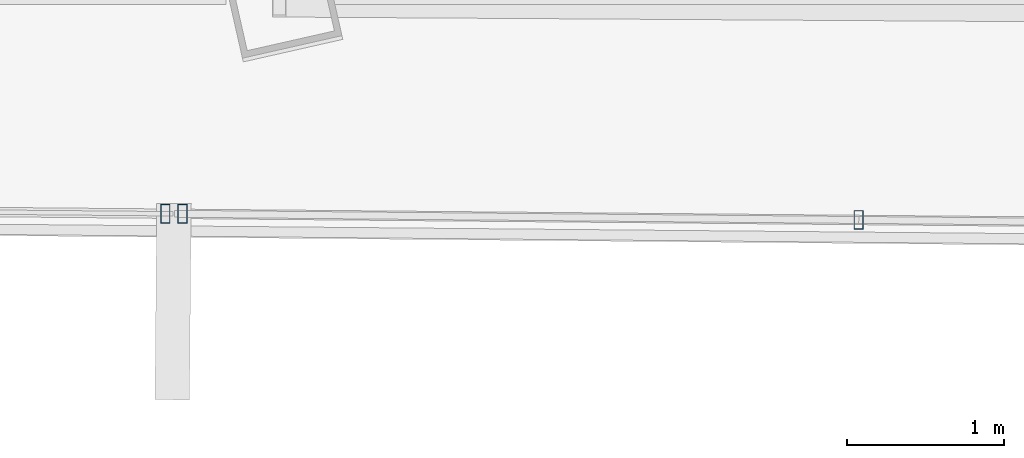
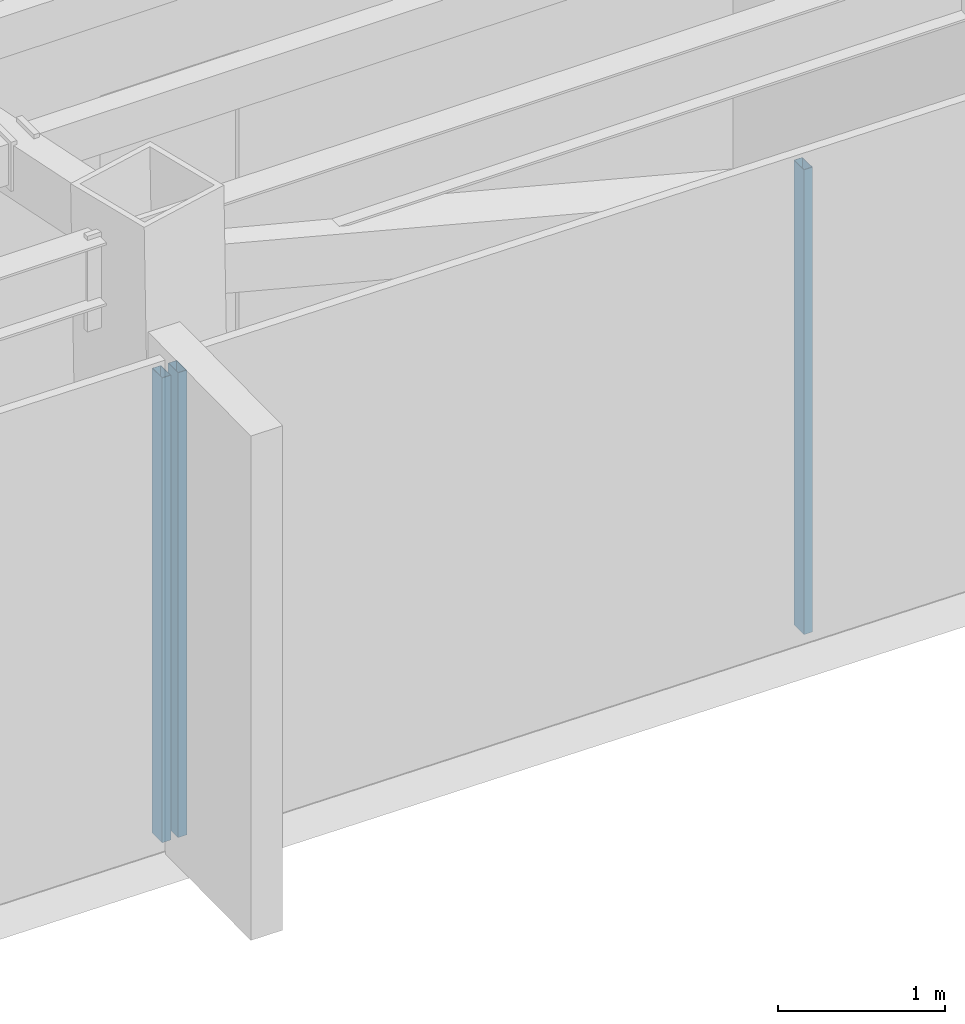
# One storey, part 11 of 47: 3 members, 2 elements without a shape of their own.
"""IFC4 building model written with IfcOpenShell, lengths in metres."""

from ifc_helpers import new_model, si_unit, direction, frame, origin, origin_2d, place, context, subcontext, project, spatial, hollow_rectangle, extrude, source, transform, mapped, material, material_profile, profile_set, type_object, type_shapes, element, aggregate, save


model = new_model("IFC4")

# Units and contexts
model_context = context("Model", 3, precision=1e-05, world=origin(), true_north=direction((0.0, 1.0)))
body_context = subcontext(model_context, "Body", "Model", "MODEL_VIEW")
ifc_project = project(units=[si_unit("LENGTHUNIT", "METRE"), si_unit("AREAUNIT", "SQUARE_METRE"), si_unit("VOLUMEUNIT", "CUBIC_METRE"), si_unit("PLANEANGLEUNIT", "RADIAN"), si_unit("MASSUNIT", "GRAM", prefix="KILO")], contexts=[model_context])

# Site, building, storey
site_placement = place(None, origin())
site = spatial("IfcSite", under=ifc_project, at=site_placement, CompositionType="ELEMENT")
building_placement = place(site_placement, origin())
building = spatial("IfcBuilding", under=site, at=building_placement, Name="Caelisora Broadcast Tower", CompositionType="ELEMENT")
storey_placement = place(building_placement, frame((0.0, 0.0, 248.10009765625)))
storey = spatial("IfcBuildingStorey", under=building, at=storey_placement, Name="L65", CompositionType="ELEMENT", Elevation=248.10009765625)

# Curtain wall, members
ifc_material_1 = material(Name="Unitised Aluminium Insulated Shadow-Box Spandrel Curtain Wall", Category="aluminium")
curtain_wall_type_1 = type_object("IfcCurtainWallType", Name="CW-SP3", PredefinedType="NOTDEFINED", material=ifc_material_1)
curtain_wall_1_placement = place(storey_placement, origin())
curtain_wall_1 = element("IfcCurtainWall", 1, at=curtain_wall_1_placement, inside=storey, type_object=curtain_wall_type_1, Name="L65 curtain wall CW-SP3", PredefinedType="NOTDEFINED")
ifc_material_2 = material(Name="Aluminium 6063-T6 Anodised Terracotta Bronze", Category="aluminium")
ifc_material_profile = material_profile(ifc_material_2, hollow_rectangle(XDim=0.06005859375, YDim=0.1201171875, WallThickness=0.0029296875, at=origin_2d()), Name="Aluminium 6063-T6 Anodised Terracotta Bronze")
ifc_profile_set = profile_set([ifc_material_profile], Name="Aluminium 6063-T6 Anodised Terracotta Bronze")
member_type = type_object("IfcMemberType", Name="CWM-04", PredefinedType="MULLION", material=ifc_profile_set)
shared_shape = source(origin(), body_context, "Body", "SweptSolid", [
    extrude(hollow_rectangle(XDim=0.06005859375, YDim=0.1201171875, WallThickness=0.0029296875, at=origin_2d()), origin(), (0.0, 0.0, 1.0), 3.39990234375),
])
type_shapes(member_type, [shared_shape])
member_1_placement = place(storey_placement, frame((35.80810546875, 7.77197265625, 0.0), z_axis=(0.0, 0.0, 1.0), x_axis=(1.0, 0.0, 0.0)))
member_1 = element("IfcMember", 2, at=member_1_placement, type_object=member_type, Name="L65-CW-B06 mullion #2", PredefinedType="MULLION", context=body_context, shape_type="MappedRepresentation", body=[
    mapped(shared_shape, transform((0.0, 0.0, 0.0), scale=1.0)),
])
member_2_placement = place(storey_placement, frame((31.500244140625, 7.810791015625, 0.0), z_axis=(0.0, 0.0, 1.0), x_axis=(1.0, 0.0, 0.0)))
member_2 = element("IfcMember", 3, at=member_2_placement, type_object=member_type, Name="L65-CW-B06 mullion #3", PredefinedType="MULLION", context=body_context, shape_type="MappedRepresentation", body=[
    mapped(shared_shape, transform((0.0, 0.0, 0.0), scale=1.0)),
])
aggregate(curtain_wall_1, [member_1, member_2])

# Curtain wall, member
ifc_material_3 = material(Name="Unitised Aluminium and Low-E Glass Curtain Wall", Category="glass")
curtain_wall_type_2 = type_object("IfcCurtainWallType", Name="CW-Z5", PredefinedType="NOTDEFINED", material=ifc_material_3)
curtain_wall_2_placement = place(storey_placement, origin())
curtain_wall_2 = element("IfcCurtainWall", 4, at=curtain_wall_2_placement, inside=storey, type_object=curtain_wall_type_2, Name="L65 curtain wall CW-Z5", PredefinedType="NOTDEFINED")
member_3_placement = place(storey_placement, frame((31.390380859375, 7.81201171875, 0.0), z_axis=(0.0, 0.0, 1.0), x_axis=(1.0, 0.0, 0.0)))
member_3 = element("IfcMember", 5, at=member_3_placement, type_object=member_type, Name="L65-CW-B07 mullion #0", PredefinedType="MULLION", context=body_context, shape_type="MappedRepresentation", body=[
    mapped(shared_shape, transform((0.0, 0.0, 0.0), scale=1.0)),
])
aggregate(curtain_wall_2, [member_3])

save(model, "model.ifc")
